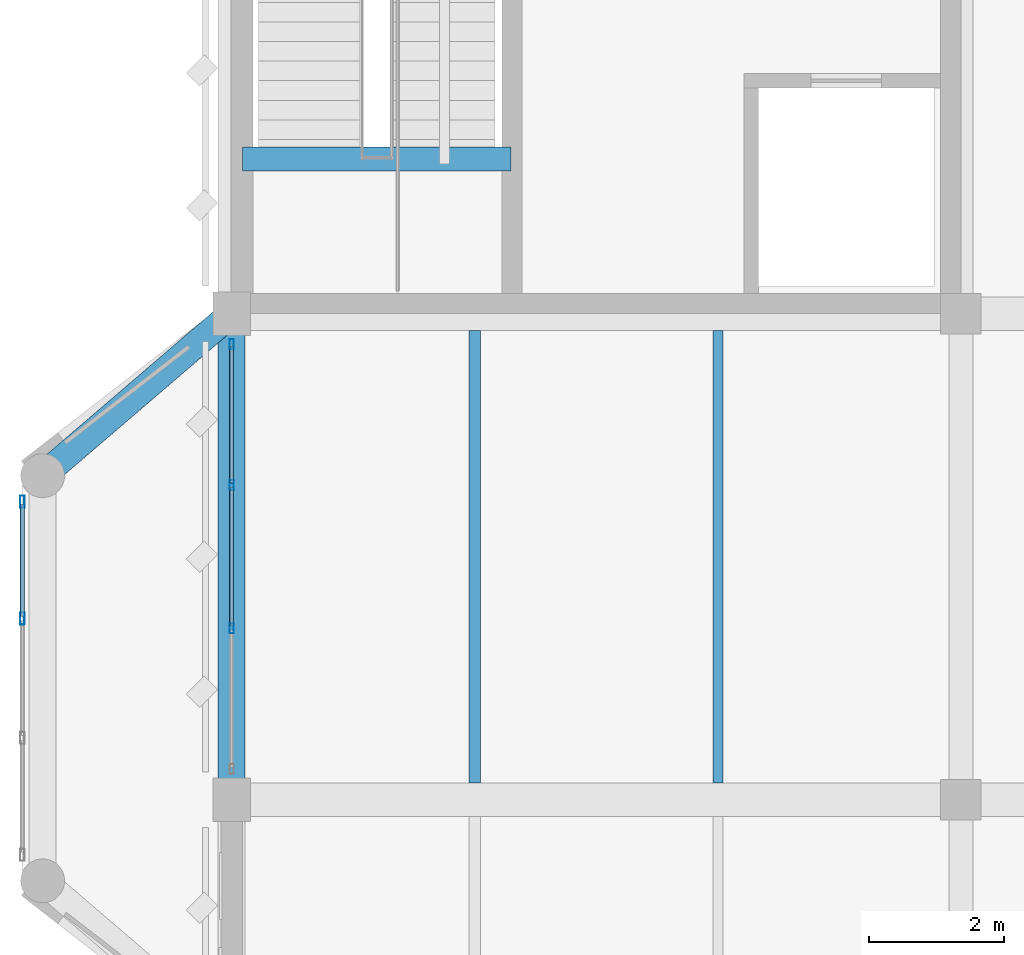
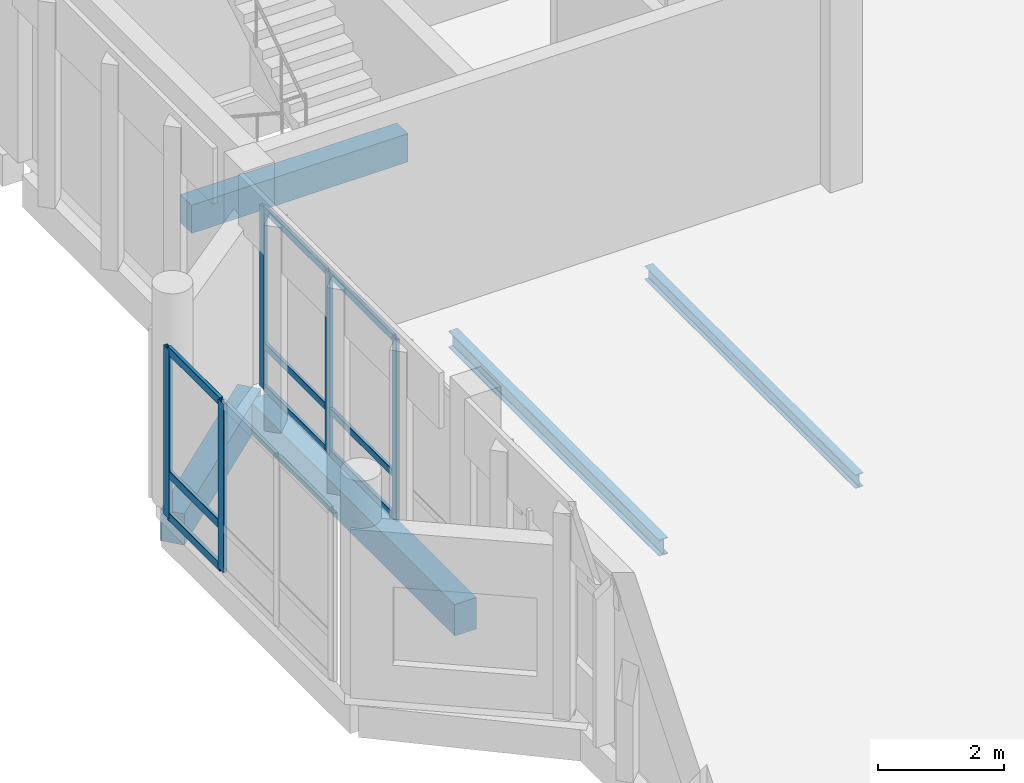
# One storey, part 28 of 158: 14 members, 5 beams, 2 elements without a shape of their own.
"""IFC4 building model written with IfcOpenShell, lengths in metres."""

from ifc_helpers import new_model, si_unit, direction, frame, origin, origin_2d, place, context, subcontext, project, spatial, rectangle, hollow_rectangle, i_section, extrude, material, material_profile, profile_set, type_object, element, aggregate, save


model = new_model("IFC4")

# Units and contexts
model_context = context("Model", 3, precision=1e-05, world=origin(), true_north=direction((0.0, 1.0)))
body_context = subcontext(model_context, "Body", "Model", "MODEL_VIEW")
ifc_project = project(units=[si_unit("LENGTHUNIT", "METRE"), si_unit("AREAUNIT", "SQUARE_METRE"), si_unit("VOLUMEUNIT", "CUBIC_METRE"), si_unit("PLANEANGLEUNIT", "RADIAN"), si_unit("MASSUNIT", "GRAM", prefix="KILO")], contexts=[model_context])

# Site, building, storey
site_placement = place(None, origin())
site = spatial("IfcSite", under=ifc_project, at=site_placement, CompositionType="ELEMENT")
building_placement = place(site_placement, origin())
building = spatial("IfcBuilding", under=site, at=building_placement, Name="Lusvemor Sports Hall", CompositionType="ELEMENT")
storey_placement = place(building_placement, frame((0.0, 0.0, 10.800048828125)))
storey = spatial("IfcBuildingStorey", under=building, at=storey_placement, Name="L02", CompositionType="ELEMENT", Elevation=10.800048828125)

# Beam
ifc_material_1 = material(Name="Concrete C40/50", Category="concrete")
ifc_material_profile_1 = material_profile(ifc_material_1, rectangle(XDim=0.35009765625, YDim=0.550048828125, at=origin_2d()), Name="RC350x550")
ifc_profile_set_1 = profile_set([ifc_material_profile_1], Name="Concrete C40/50")
beam_type_1 = type_object("IfcBeamType", Name="BEAM_RC_550", PredefinedType="BEAM", material=ifc_profile_set_1)
beam_1_placement = place(storey_placement, frame((0.159912109375, 70.68994140625, 1.64501953125), z_axis=(1.0, 0.0, 0.0), x_axis=(0.0, 1.0, 0.0)))
element("IfcBeam", 1, at=beam_1_placement, inside=storey, type_object=beam_type_1, Name="Stair STR-C3-L02 Mid-Landing Beam", PredefinedType="BEAM", context=body_context, shape_type="SweptSolid", body=[
    extrude(rectangle(XDim=0.35009765625, YDim=0.550048828125, at=origin_2d()), origin(), (0.0, 0.0, 1.0), 3.97998046875),
])

# Curtain wall, members
ifc_material_2 = material(Name="Thermally broken bronze-anodized aluminium", Category="aluminium")
curtain_wall_type_1 = type_object("IfcCurtainWallType", Name="CW_FOYER_A", PredefinedType="NOTDEFINED", material=ifc_material_2)
curtain_wall_1_placement = place(storey_placement, origin())
curtain_wall_1 = element("IfcCurtainWall", 2, at=curtain_wall_1_placement, inside=storey, type_object=curtain_wall_type_1, Name="Curtain Wall CW-BOW-W1-L02-M", PredefinedType="NOTDEFINED")
ifc_material_3 = material(Name="Thermally broken bronze-anodized aluminium", Category="aluminium")
ifc_material_profile_2 = material_profile(ifc_material_3, hollow_rectangle(XDim=0.070068359375, YDim=0.179931640625, WallThickness=0.0048828125, InnerFilletRadius=0.0048828125, OuterFilletRadius=0.010009765625, at=origin_2d()), Name="CWMUL180x70x5")
ifc_profile_set_2 = profile_set([ifc_material_profile_2], Name="Thermally broken bronze-anodized aluminium")
member_type_1 = type_object("IfcMemberType", Name="CW_MUL_A", PredefinedType="MULLION", material=ifc_profile_set_2)
member_1_placement = place(storey_placement, frame((-3.10009765625, 63.88330078125, 0.0), z_axis=(0.0, 0.0, 1.0), x_axis=(-1.0, 0.0, 0.0)))
member_1 = element("IfcMember", 3, at=member_1_placement, type_object=member_type_1, Name="CW01 mullion 3", PredefinedType="MULLION", context=body_context, shape_type="SweptSolid", body=[
    extrude(hollow_rectangle(XDim=0.070068359375, YDim=0.179931640625, WallThickness=0.0048828125, InnerFilletRadius=0.0048828125, OuterFilletRadius=0.010009765625, at=origin_2d()), origin(), (0.0, 0.0, 1.0), 3.280029296875),
])
member_2_placement = place(storey_placement, frame((-3.10009765625, 65.614990234375, 0.0), z_axis=(0.0, 0.0, 1.0), x_axis=(-1.0, 0.0, 0.0)))
member_2 = element("IfcMember", 4, at=member_2_placement, type_object=member_type_1, Name="CW01 mullion 4", PredefinedType="MULLION", context=body_context, shape_type="SweptSolid", body=[
    extrude(hollow_rectangle(XDim=0.070068359375, YDim=0.179931640625, WallThickness=0.0048828125, InnerFilletRadius=0.0048828125, OuterFilletRadius=0.010009765625, at=origin_2d()), origin(), (0.0, 0.0, 1.0), 3.280029296875),
])

ifc_material_4 = material(Name="Thermally broken bronze-anodized aluminium", Category="aluminium")
curtain_wall_type_2 = type_object("IfcCurtainWallType", Name="CW_WING_B", PredefinedType="NOTDEFINED", material=ifc_material_4)
curtain_wall_2_placement = place(storey_placement, origin())
curtain_wall_2 = element("IfcCurtainWall", 5, at=curtain_wall_2_placement, inside=storey, type_object=curtain_wall_type_2, Name="Curtain Wall CW-L02-W-0-2", PredefinedType="NOTDEFINED")
ifc_material_5 = material(Name="Thermally broken bronze-anodized aluminium", Category="aluminium")
ifc_material_profile_3 = material_profile(ifc_material_5, hollow_rectangle(XDim=0.06494140625, YDim=0.14990234375, WallThickness=0.00390625, InnerFilletRadius=0.00390625, OuterFilletRadius=0.008056640625, at=origin_2d()), Name="CWMUL150x65x4")
ifc_profile_set_3 = profile_set([ifc_material_profile_3], Name="Thermally broken bronze-anodized aluminium")
member_type_2 = type_object("IfcMemberType", Name="CW_MUL_B", PredefinedType="MULLION", material=ifc_profile_set_3)
member_3_placement = place(storey_placement, frame((0.0, 63.739990234375, 0.0), z_axis=(0.0, 0.0, 1.0), x_axis=(-1.0, 0.0, 0.0)))
member_3 = element("IfcMember", 6, at=member_3_placement, type_object=member_type_2, Name="CW02 mullion 2", PredefinedType="MULLION", context=body_context, shape_type="SweptSolid", body=[
    extrude(hollow_rectangle(XDim=0.06494140625, YDim=0.14990234375, WallThickness=0.00390625, InnerFilletRadius=0.00390625, OuterFilletRadius=0.008056640625, at=origin_2d()), origin(), (0.0, 0.0, 1.0), 3.52001953125),
])
member_4_placement = place(storey_placement, frame((0.0, 65.860107421875, 0.0), z_axis=(0.0, 0.0, 1.0), x_axis=(-1.0, 0.0, 0.0)))
member_4 = element("IfcMember", 7, at=member_4_placement, type_object=member_type_2, Name="CW02 mullion 3", PredefinedType="MULLION", context=body_context, shape_type="SweptSolid", body=[
    extrude(hollow_rectangle(XDim=0.06494140625, YDim=0.14990234375, WallThickness=0.00390625, InnerFilletRadius=0.00390625, OuterFilletRadius=0.008056640625, at=origin_2d()), origin(), (0.0, 0.0, 1.0), 3.52001953125),
])
member_5_placement = place(storey_placement, frame((0.0, 67.947509765625, 0.0), z_axis=(0.0, 0.0, 1.0), x_axis=(-1.0, 0.0, 0.0)))
member_5 = element("IfcMember", 8, at=member_5_placement, type_object=member_type_2, Name="CW02 mullion 4", PredefinedType="MULLION", context=body_context, shape_type="SweptSolid", body=[
    extrude(hollow_rectangle(XDim=0.06494140625, YDim=0.14990234375, WallThickness=0.00390625, InnerFilletRadius=0.00390625, OuterFilletRadius=0.008056640625, at=origin_2d()), origin(), (0.0, 0.0, 1.0), 3.52001953125),
])

# Member
ifc_material_6 = material(Name="Thermally broken bronze-anodized aluminium", Category="aluminium")
ifc_material_profile_4 = material_profile(ifc_material_6, hollow_rectangle(XDim=0.06494140625, YDim=0.159912109375, WallThickness=0.00390625, InnerFilletRadius=0.00390625, OuterFilletRadius=0.008056640625, at=origin_2d()), Name="CWTRN160x65x4")
ifc_profile_set_4 = profile_set([ifc_material_profile_4], Name="Thermally broken bronze-anodized aluminium")
member_type_3 = type_object("IfcMemberType", Name="CW_TRN_A", PredefinedType="USERDEFINED", material=ifc_profile_set_4)
member_6_placement = place(storey_placement, frame((-3.10009765625, 63.918212890625, 0.032470703125), z_axis=(0.0, 1.0, 0.0), x_axis=(-1.0, 0.0, 0.0)))
member_6 = element("IfcMember", 9, at=member_6_placement, type_object=member_type_3, Name="CW01 transom 3.1", ObjectType="TRANSOM", PredefinedType="USERDEFINED", context=body_context, shape_type="SweptSolid", body=[
    extrude(hollow_rectangle(XDim=0.06494140625, YDim=0.159912109375, WallThickness=0.00390625, InnerFilletRadius=0.00390625, OuterFilletRadius=0.008056640625, at=origin_2d()), origin(), (0.0, 0.0, 1.0), 1.661865234375),
])

member_7_placement = place(storey_placement, frame((-3.10009765625, 63.918212890625, 0.849853515625), z_axis=(0.0, 1.0, 0.0), x_axis=(-1.0, 0.0, 0.0)))
member_7 = element("IfcMember", 10, at=member_7_placement, type_object=member_type_3, Name="CW01 transom 3.2", ObjectType="TRANSOM", PredefinedType="USERDEFINED", context=body_context, shape_type="SweptSolid", body=[
    extrude(hollow_rectangle(XDim=0.06494140625, YDim=0.159912109375, WallThickness=0.00390625, InnerFilletRadius=0.00390625, OuterFilletRadius=0.008056640625, at=origin_2d()), origin(), (0.0, 0.0, 1.0), 1.661865234375),
])

member_8_placement = place(storey_placement, frame((-3.10009765625, 63.918212890625, 3.24755859375), z_axis=(0.0, 1.0, 0.0), x_axis=(-1.0, 0.0, 0.0)))
member_8 = element("IfcMember", 11, at=member_8_placement, type_object=member_type_3, Name="CW01 transom 3.3", ObjectType="TRANSOM", PredefinedType="USERDEFINED", context=body_context, shape_type="SweptSolid", body=[
    extrude(hollow_rectangle(XDim=0.06494140625, YDim=0.159912109375, WallThickness=0.00390625, InnerFilletRadius=0.00390625, OuterFilletRadius=0.008056640625, at=origin_2d()), origin(), (0.0, 0.0, 1.0), 1.661865234375),
])

aggregate(curtain_wall_1, [member_1, member_2, member_6, member_7, member_8])

ifc_material_7 = material(Name="Thermally broken bronze-anodized aluminium", Category="aluminium")
ifc_material_profile_5 = material_profile(ifc_material_7, hollow_rectangle(XDim=0.06005859375, YDim=0.135009765625, WallThickness=0.00390625, InnerFilletRadius=0.00390625, OuterFilletRadius=0.008056640625, at=origin_2d()), Name="CWTRN135x60x4")
ifc_profile_set_5 = profile_set([ifc_material_profile_5], Name="Thermally broken bronze-anodized aluminium")
member_type_4 = type_object("IfcMemberType", Name="CW_TRN_B", PredefinedType="USERDEFINED", material=ifc_profile_set_5)
member_9_placement = place(storey_placement, frame((0.0, 63.7724609375, 0.030029296875), z_axis=(0.0, 1.0, 0.0), x_axis=(-1.0, 0.0, 0.0)))
member_9 = element("IfcMember", 12, at=member_9_placement, type_object=member_type_4, Name="CW02 transom 2.1", ObjectType="TRANSOM", PredefinedType="USERDEFINED", context=body_context, shape_type="SweptSolid", body=[
    extrude(hollow_rectangle(XDim=0.06005859375, YDim=0.135009765625, WallThickness=0.00390625, InnerFilletRadius=0.00390625, OuterFilletRadius=0.008056640625, at=origin_2d()), origin(), (0.0, 0.0, 1.0), 2.054931640625),
])

member_10_placement = place(storey_placement, frame((0.0, 63.7724609375, 0.849853515625), z_axis=(0.0, 1.0, 0.0), x_axis=(-1.0, 0.0, 0.0)))
member_10 = element("IfcMember", 13, at=member_10_placement, type_object=member_type_4, Name="CW02 transom 2.2", ObjectType="TRANSOM", PredefinedType="USERDEFINED", context=body_context, shape_type="SweptSolid", body=[
    extrude(hollow_rectangle(XDim=0.06005859375, YDim=0.135009765625, WallThickness=0.00390625, InnerFilletRadius=0.00390625, OuterFilletRadius=0.008056640625, at=origin_2d()), origin(), (0.0, 0.0, 1.0), 2.054931640625),
])

member_11_placement = place(storey_placement, frame((0.0, 63.7724609375, 3.489990234375), z_axis=(0.0, 1.0, 0.0), x_axis=(-1.0, 0.0, 0.0)))
member_11 = element("IfcMember", 14, at=member_11_placement, type_object=member_type_4, Name="CW02 transom 2.3", ObjectType="TRANSOM", PredefinedType="USERDEFINED", context=body_context, shape_type="SweptSolid", body=[
    extrude(hollow_rectangle(XDim=0.06005859375, YDim=0.135009765625, WallThickness=0.00390625, InnerFilletRadius=0.00390625, OuterFilletRadius=0.008056640625, at=origin_2d()), origin(), (0.0, 0.0, 1.0), 2.054931640625),
])

member_12_placement = place(storey_placement, frame((0.0, 65.892578125, 0.030029296875), z_axis=(0.0, 1.0, 0.0), x_axis=(-1.0, 0.0, 0.0)))
member_12 = element("IfcMember", 15, at=member_12_placement, type_object=member_type_4, Name="CW02 transom 3.1", ObjectType="TRANSOM", PredefinedType="USERDEFINED", context=body_context, shape_type="SweptSolid", body=[
    extrude(hollow_rectangle(XDim=0.06005859375, YDim=0.135009765625, WallThickness=0.00390625, InnerFilletRadius=0.00390625, OuterFilletRadius=0.008056640625, at=origin_2d()), origin(), (0.0, 0.0, 1.0), 2.0224609375),
])

member_13_placement = place(storey_placement, frame((0.0, 65.892578125, 0.849853515625), z_axis=(0.0, 1.0, 0.0), x_axis=(-1.0, 0.0, 0.0)))
member_13 = element("IfcMember", 16, at=member_13_placement, type_object=member_type_4, Name="CW02 transom 3.2", ObjectType="TRANSOM", PredefinedType="USERDEFINED", context=body_context, shape_type="SweptSolid", body=[
    extrude(hollow_rectangle(XDim=0.06005859375, YDim=0.135009765625, WallThickness=0.00390625, InnerFilletRadius=0.00390625, OuterFilletRadius=0.008056640625, at=origin_2d()), origin(), (0.0, 0.0, 1.0), 2.0224609375),
])

member_14_placement = place(storey_placement, frame((0.0, 65.892578125, 3.489990234375), z_axis=(0.0, 1.0, 0.0), x_axis=(-1.0, 0.0, 0.0)))
member_14 = element("IfcMember", 17, at=member_14_placement, type_object=member_type_4, Name="CW02 transom 3.3", ObjectType="TRANSOM", PredefinedType="USERDEFINED", context=body_context, shape_type="SweptSolid", body=[
    extrude(hollow_rectangle(XDim=0.06005859375, YDim=0.135009765625, WallThickness=0.00390625, InnerFilletRadius=0.00390625, OuterFilletRadius=0.008056640625, at=origin_2d()), origin(), (0.0, 0.0, 1.0), 2.0224609375),
])

aggregate(curtain_wall_2, [member_3, member_4, member_5, member_9, member_10, member_11, member_12, member_13, member_14])

# Beams
ifc_material_8 = material(Name="Steel S355", Category="steel")
ifc_material_profile_6 = material_profile(ifc_material_8, i_section(OverallWidth=0.14794921875, OverallDepth=0.26611328125, WebThickness=0.007568359375, FlangeThickness=0.012939453125, FilletRadius=0.012939453125, at=origin_2d()), Name="W250x44.8")
ifc_profile_set_6 = profile_set([ifc_material_profile_6], Name="Steel S355")
beam_type_2 = type_object("IfcBeamType", Name="JOIST_ST_250M", PredefinedType="JOIST", material=ifc_profile_set_6)
beam_2_placement = place(storey_placement, frame((7.199951171875, 61.446044921875, -0.39697265625), z_axis=(0.0, 1.0, 0.0), x_axis=(-1.0, 0.0, 0.0)))
element("IfcBeam", 18, at=beam_2_placement, inside=storey, type_object=beam_type_2, Name="Secondary Joist L02 1-2/H-J #2", PredefinedType="JOIST", context=body_context, shape_type="SweptSolid", body=[
    extrude(i_section(OverallWidth=0.14794921875, OverallDepth=0.26611328125, WebThickness=0.007568359375, FlangeThickness=0.012939453125, FilletRadius=0.012939453125, at=origin_2d()), origin(), (0.0, 0.0, 1.0), 6.7080078125),
])
ifc_material_9 = material(Name="Steel S355", Category="steel")
ifc_material_profile_7 = material_profile(ifc_material_9, i_section(OverallWidth=0.1669921875, OverallDepth=0.31689453125, WebThickness=0.007568359375, FlangeThickness=0.01318359375, FilletRadius=0.014892578125, at=origin_2d()), Name="W310x52.0")
ifc_profile_set_7 = profile_set([ifc_material_profile_7], Name="Steel S355")
beam_type_3 = type_object("IfcBeamType", Name="JOIST_ST_310M", PredefinedType="JOIST", material=ifc_profile_set_7)
beam_3_placement = place(storey_placement, frame((3.60009765625, 61.446044921875, -0.422607421875), z_axis=(0.0, 1.0, 0.0), x_axis=(-1.0, 0.0, 0.0)))
element("IfcBeam", 19, at=beam_3_placement, inside=storey, type_object=beam_type_3, Name="Secondary Joist L02 1-2/H-J #1", PredefinedType="JOIST", context=body_context, shape_type="SweptSolid", body=[
    extrude(i_section(OverallWidth=0.1669921875, OverallDepth=0.31689453125, WebThickness=0.007568359375, FlangeThickness=0.01318359375, FilletRadius=0.014892578125, at=origin_2d()), origin(), (0.0, 0.0, 1.0), 6.7080078125),
])
ifc_material_10 = material(Name="Concrete C40/50", Category="concrete")
ifc_material_profile_8 = material_profile(ifc_material_10, rectangle(XDim=0.39990234375, YDim=0.610107421875, at=origin_2d()), Name="RC400x610")
ifc_profile_set_8 = profile_set([ifc_material_profile_8], Name="Concrete C40/50")
beam_type_4 = type_object("IfcBeamType", Name="SPAND_EXT_650", PredefinedType="SPANDREL", material=ifc_profile_set_8)
beam_4_placement = place(storey_placement, frame((0.0, 61.51611328125, -0.56494140625), z_axis=(0.0, 1.0, 0.0), x_axis=(-1.0, 0.0, 0.0)))
element("IfcBeam", 20, at=beam_4_placement, inside=storey, type_object=beam_type_4, Name="Beam L02 1:H-J", PredefinedType="SPANDREL", context=body_context, shape_type="SweptSolid", body=[
    extrude(rectangle(XDim=0.39990234375, YDim=0.610107421875, at=origin_2d()), origin(), (0.0, 0.0, 1.0), 6.56787109375),
])
beam_5_placement = place(storey_placement, frame((-2.800048828125, 66.0, -0.56494140625), z_axis=(0.759275294494, 0.650769565339, 0.0), x_axis=(-0.650769565339, 0.759275294494, 0.0)))
element("IfcBeam", 21, at=beam_5_placement, inside=storey, type_object=beam_type_4, Name="Bow Pavilion Edge Beam BOW-W1 L02-3", PredefinedType="SPANDREL", context=body_context, shape_type="SweptSolid", body=[
    extrude(rectangle(XDim=0.39990234375, YDim=0.610107421875, at=origin_2d()), origin(), (0.0, 0.0, 1.0), 3.687744140625),
])

save(model, "model.ifc")
